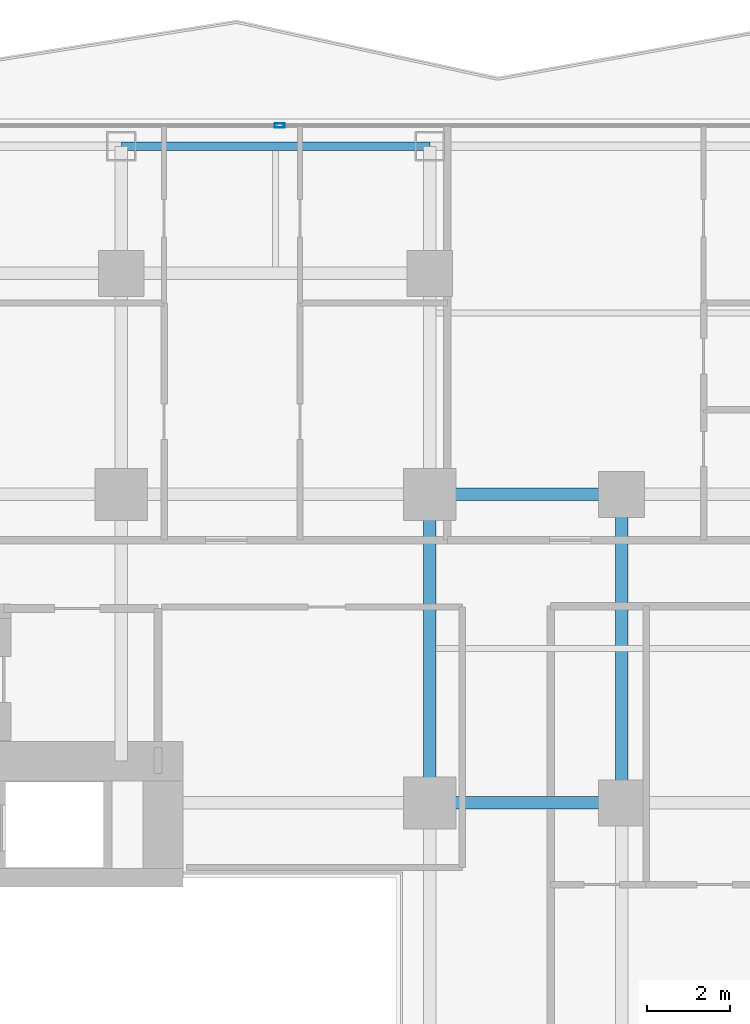
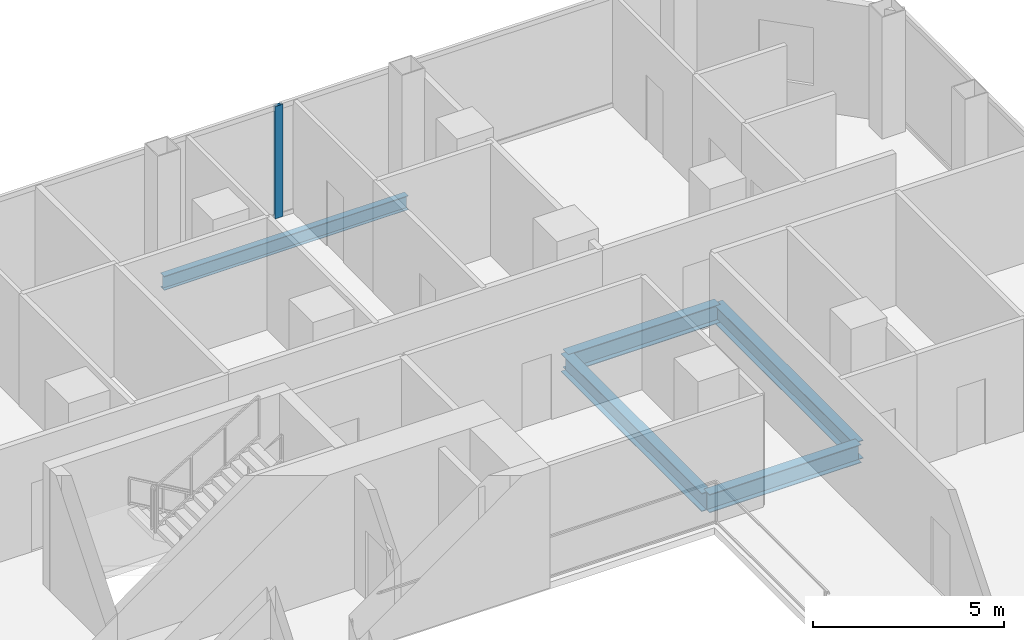
# One storey, part 16 of 27: 5 beams, 1 member, 1 element without a shape of its own.
"""IFC4 building model written with IfcOpenShell, lengths in metres."""

from ifc_helpers import new_model, si_unit, direction, frame, origin, origin_2d, place, context, subcontext, project, spatial, hollow_rectangle, i_section, extrude, material, layer, layer_set, material_profile, profile_set, type_object, element, aggregate, save


model = new_model("IFC4")

# Units and contexts
model_context = context("Model", 3, precision=1e-05, world=origin(), true_north=direction((0.0, 1.0)))
body_context = subcontext(model_context, "Body", "Model", "MODEL_VIEW")
ifc_project = project(units=[si_unit("LENGTHUNIT", "METRE"), si_unit("AREAUNIT", "SQUARE_METRE"), si_unit("VOLUMEUNIT", "CUBIC_METRE"), si_unit("PLANEANGLEUNIT", "RADIAN"), si_unit("MASSUNIT", "GRAM", prefix="KILO")], contexts=[model_context])

# Site, building, storey
site_placement = place(None, origin())
site = spatial("IfcSite", under=ifc_project, at=site_placement, CompositionType="ELEMENT")
building_placement = place(site_placement, origin())
building = spatial("IfcBuilding", under=site, at=building_placement, Name="Khorvyn Point Tower", CompositionType="ELEMENT")
storey_placement = place(building_placement, frame((0.0, 0.0, 152.39990234375)))
storey = spatial("IfcBuildingStorey", under=building, at=storey_placement, Name="L38", CompositionType="ELEMENT", Elevation=152.39990234375)

# Curtain wall, member
ifc_material_1 = material(Name="Anodised aluminium 6063-T6 and laminated Low-E glass", Category="aluminium")
ifc_layer = layer(ifc_material_1, 0.18994140625)
ifc_layer_set = layer_set([ifc_layer], Name="Stick-Built Acoustic Curtain Wall CW-SYS-03")
curtain_wall_type = type_object("IfcCurtainWallType", Name="Stick-Built Acoustic Curtain Wall CW-SYS-03", PredefinedType="NOTDEFINED", material=ifc_layer_set)
curtain_wall_placement = place(storey_placement, origin())
curtain_wall = element("IfcCurtainWall", 1, at=curtain_wall_placement, inside=storey, type_object=curtain_wall_type, Name="Curtain Wall", PredefinedType="NOTDEFINED")
ifc_material_2 = material(Name="Anodised aluminium 6063-T6", Category="aluminium")
ifc_material_profile_1 = material_profile(ifc_material_2, hollow_rectangle(XDim=0.10009765625, YDim=0.239990234375, WallThickness=0.0048828125, at=origin_2d()))
ifc_profile_set_1 = profile_set([ifc_material_profile_1], Name="Anodised aluminium 6063-T6 ALU-MUL-100x240")
member_type = type_object("IfcMemberType", Name="Anodised Aluminium 6063-T6 Mullion ALU-MUL-100x240", PredefinedType="MULLION", material=ifc_profile_set_1)
member_placement = place(storey_placement, frame((11.197021484375, 23.64990234375, 0.0), z_axis=(0.0, 0.0, 1.0), x_axis=(0.0, 1.0, 0.0)))
member = element("IfcMember", 2, at=member_placement, type_object=member_type, Name="Transom", PredefinedType="MULLION", context=body_context, shape_type="SweptSolid", body=[
    extrude(hollow_rectangle(XDim=0.10009765625, YDim=0.239990234375, WallThickness=0.0048828125, at=origin_2d()), origin(), (0.0, 0.0, 1.0), 3.60009765625),
])
aggregate(curtain_wall, [member])

# Beams
ifc_material_3 = material(Name="Steel S355", Category="steel")
ifc_material_profile_2 = material_profile(ifc_material_3, i_section(OverallWidth=0.300048828125, OverallDepth=0.587890625, WebThickness=0.011962890625, FlangeThickness=0.02001953125, at=origin_2d()))
ifc_profile_set_2 = profile_set([ifc_material_profile_2], Name="Steel S355 H588x300x12x20")
beam_type_1 = type_object("IfcBeamType", Name="Steel S355 Beam H588x300x12x20", PredefinedType="BEAM", material=ifc_profile_set_2)
for number, where, z_axis, x_axis, name in (
    (3, (14.800048828125, 14.800048828125, -0.513916015625), (1.0, 0.0, 0.0), (0.0, 1.0, 0.0), "Beam"),
    (4, (14.800048828125, 7.39990234375, -0.513916015625), (1.0, 0.0, 0.0), (0.0, 1.0, 0.0), "Beam"),
):
    element("IfcBeam", number, at=place(storey_placement, frame(where, z_axis=z_axis, x_axis=x_axis)), inside=storey, type_object=beam_type_1, Name=name, PredefinedType="BEAM", context=body_context, shape_type="SweptSolid", body=[
        extrude(i_section(OverallWidth=0.300048828125, OverallDepth=0.587890625, WebThickness=0.011962890625, FlangeThickness=0.02001953125, at=origin_2d()), origin(), (0.0, 0.0, 1.0), 4.599853515625),
    ])
for number, where, z_axis, x_axis, name in (
    (5, (14.800048828125, 7.39990234375, -0.513916015625), (0.0, 1.0, 0.0), (-1.0, 0.0, 0.0), "Beam"),
    (6, (19.39990234375, 7.39990234375, -0.513916015625), (0.0, 1.0, 0.0), (-1.0, 0.0, 0.0), "Beam"),
):
    element("IfcBeam", number, at=place(storey_placement, frame(where, z_axis=z_axis, x_axis=x_axis)), inside=storey, type_object=beam_type_1, Name=name, PredefinedType="BEAM", context=body_context, shape_type="SweptSolid", body=[
        extrude(i_section(OverallWidth=0.300048828125, OverallDepth=0.587890625, WebThickness=0.011962890625, FlangeThickness=0.02001953125, at=origin_2d()), origin(), (0.0, 0.0, 1.0), 7.400146484375),
    ])
ifc_material_profile_3 = material_profile(ifc_material_3, i_section(OverallWidth=0.199951171875, OverallDepth=0.449951171875, WebThickness=0.009033203125, FlangeThickness=0.013916015625, at=origin_2d()))
ifc_profile_set_3 = profile_set([ifc_material_profile_3], Name="Steel S355 H450x200x9x14")
beam_type_2 = type_object("IfcBeamType", Name="Steel S355 Spandrel H450x200x9x14", PredefinedType="SPANDREL", material=ifc_profile_set_3)
beam_placement = place(storey_placement, frame((7.39990234375, 23.14990234375, -0.44482421875), z_axis=(1.0, 0.0, 0.0), x_axis=(0.0, 1.0, 0.0)))
element("IfcBeam", 7, at=beam_placement, inside=storey, type_object=beam_type_2, Name="Beam", PredefinedType="SPANDREL", context=body_context, shape_type="SweptSolid", body=[
    extrude(i_section(OverallWidth=0.199951171875, OverallDepth=0.449951171875, WebThickness=0.009033203125, FlangeThickness=0.013916015625, at=origin_2d()), origin(), (0.0, 0.0, 1.0), 7.400146484375),
])

save(model, "model.ifc")
